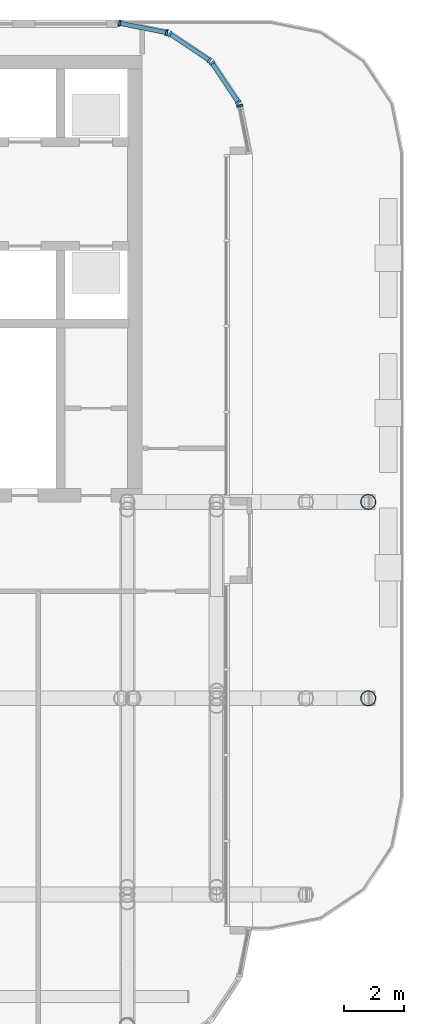
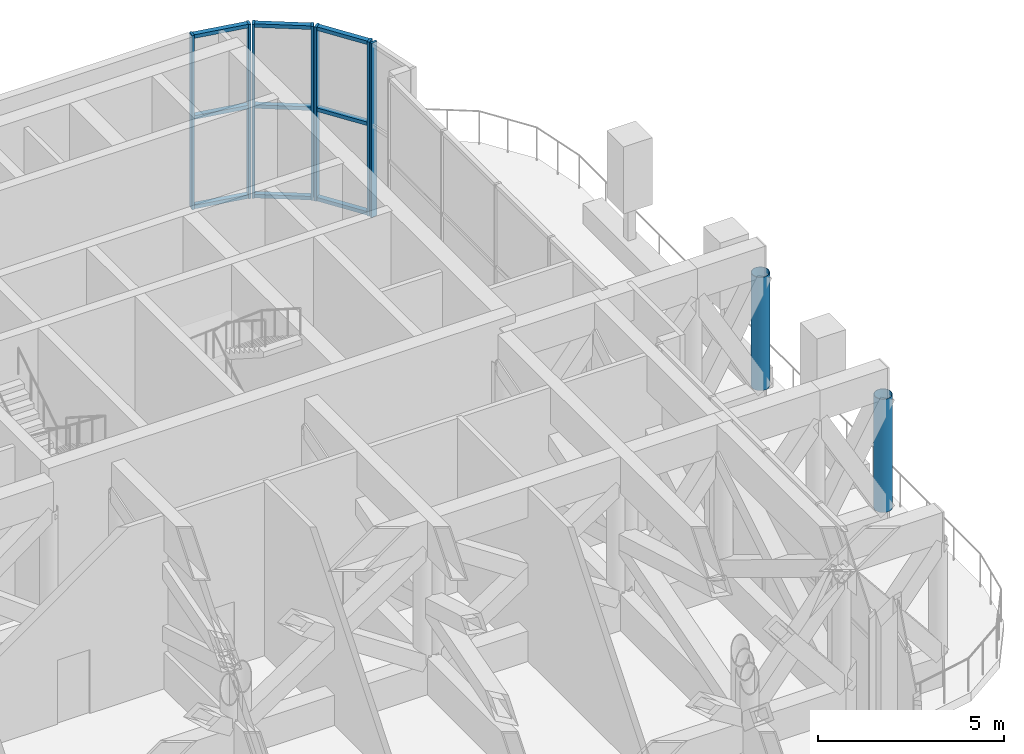
# One storey, part 10 of 25: 18 members, 4 elements without a shape of their own.
"""IFC4 building model written with IfcOpenShell, lengths in metres."""

from ifc_helpers import new_model, si_unit, direction, frame, origin, origin_2d, place, context, subcontext, project, spatial, rectangle, hollow_circle, extrude, material, layer, layer_set, material_profile, profile_set, type_object, element, aggregate, save


model = new_model("IFC4")

# Units and contexts
model_context = context("Model", 3, precision=1e-05, world=origin(), true_north=direction((0.0, 1.0)))
body_context = subcontext(model_context, "Body", "Model", "MODEL_VIEW")
ifc_project = project(units=[si_unit("LENGTHUNIT", "METRE"), si_unit("AREAUNIT", "SQUARE_METRE"), si_unit("VOLUMEUNIT", "CUBIC_METRE"), si_unit("PLANEANGLEUNIT", "RADIAN"), si_unit("MASSUNIT", "GRAM", prefix="KILO")], contexts=[model_context])

# Site, building, storey
site_placement = place(None, origin())
site = spatial("IfcSite", under=ifc_project, at=site_placement, CompositionType="ELEMENT")
building_placement = place(site_placement, origin())
building = spatial("IfcBuilding", under=site, at=building_placement, Name="Torana Hotel and Residences", CompositionType="ELEMENT")
storey_placement = place(building_placement, frame((0.0, 0.0, 106.800048828125)))
storey = spatial("IfcBuildingStorey", under=building, at=storey_placement, Name="L27", CompositionType="ELEMENT", Elevation=106.800048828125)

# Curtain wall, member
ifc_material_1 = material(Name="Dark anodised aluminium", Category="aluminium")
ifc_layer = layer(ifc_material_1, 0.199951171875)
ifc_layer_set = layer_set([ifc_layer], Name="CW2 SKY LOBBY UNITISED CURTAIN WALL")
curtain_wall_type = type_object("IfcCurtainWallType", Name="CW2 SKY LOBBY UNITISED CURTAIN WALL", PredefinedType="NOTDEFINED", material=ifc_layer_set)
curtain_wall_1_placement = place(storey_placement, origin())
curtain_wall_1 = element("IfcCurtainWall", 1, at=curtain_wall_1_placement, inside=storey, type_object=curtain_wall_type, Name="Curtain wall CW2 L27 e0.0-1", PredefinedType="NOTDEFINED")
ifc_material_2 = material(Name="Dark anodised aluminium", Category="aluminium")
ifc_material_profile_1 = material_profile(ifc_material_2, rectangle(XDim=0.199951171875, YDim=0.070068359375, at=origin_2d()), Name="CW2 MULLION 70x200")
ifc_profile_set_1 = profile_set([ifc_material_profile_1], Name="Dark anodised aluminium")
member_type_1 = type_object("IfcMemberType", Name="CW2 MULLION 70x200", PredefinedType="MULLION", material=ifc_profile_set_1)
member_1_placement = place(storey_placement, frame((27.77587890625, -1.680419921875, 0.0), z_axis=(0.0, 0.0, 1.0), x_axis=(-0.980790545928, -0.195063848566, 0.0)))
member_1 = element("IfcMember", 2, at=member_1_placement, type_object=member_type_1, Name="CW2 mullion 2", PredefinedType="MULLION", context=body_context, shape_type="SweptSolid", body=[
    extrude(rectangle(XDim=0.199951171875, YDim=0.070068359375, at=origin_2d()), origin(), (0.0, 0.0, 1.0), 5.719970703125),
])
aggregate(curtain_wall_1, [member_1])

# Curtain wall, members
curtain_wall_2_placement = place(storey_placement, origin())
curtain_wall_2 = element("IfcCurtainWall", 3, at=curtain_wall_2_placement, inside=storey, type_object=curtain_wall_type, Name="Curtain wall CW2 L27 e0.1-1", PredefinedType="NOTDEFINED")
member_2_placement = place(storey_placement, frame((27.727294921875, -1.56298828125, 0.0), z_axis=(0.0, 0.0, 1.0), x_axis=(-0.831473968618, -0.555563713278, 0.0)))
member_2 = element("IfcMember", 4, at=member_2_placement, type_object=member_type_1, Name="CW2 mullion 1", PredefinedType="MULLION", context=body_context, shape_type="SweptSolid", body=[
    extrude(rectangle(XDim=0.199951171875, YDim=0.070068359375, at=origin_2d()), origin(), (0.0, 0.0, 1.0), 5.719970703125),
])
member_3_placement = place(storey_placement, frame((26.845947265625, -0.243896484375, 0.0), z_axis=(0.0, 0.0, 1.0), x_axis=(-0.831473968618, -0.555563713278, 0.0)))
member_3 = element("IfcMember", 5, at=member_3_placement, type_object=member_type_1, Name="CW2 mullion 2", PredefinedType="MULLION", context=body_context, shape_type="SweptSolid", body=[
    extrude(rectangle(XDim=0.199951171875, YDim=0.070068359375, at=origin_2d()), origin(), (0.0, 0.0, 1.0), 5.719970703125),
])

curtain_wall_3_placement = place(storey_placement, origin())
curtain_wall_3 = element("IfcCurtainWall", 6, at=curtain_wall_3_placement, inside=storey, type_object=curtain_wall_type, Name="Curtain wall CW2 L27 e0.2-1", PredefinedType="NOTDEFINED")
member_4_placement = place(storey_placement, frame((26.756103515625, -0.154052734375, 0.0), z_axis=(0.0, 0.0, 1.0), x_axis=(-0.555563713278, -0.831473968618, 0.0)))
member_4 = element("IfcMember", 7, at=member_4_placement, type_object=member_type_1, Name="CW2 mullion 1", PredefinedType="MULLION", context=body_context, shape_type="SweptSolid", body=[
    extrude(rectangle(XDim=0.199951171875, YDim=0.070068359375, at=origin_2d()), origin(), (0.0, 0.0, 1.0), 5.719970703125),
])
member_5_placement = place(storey_placement, frame((25.43701171875, 0.727294921875, 0.0), z_axis=(0.0, 0.0, 1.0), x_axis=(-0.555563713278, -0.831473968618, 0.0)))
member_5 = element("IfcMember", 8, at=member_5_placement, type_object=member_type_1, Name="CW2 mullion 2", PredefinedType="MULLION", context=body_context, shape_type="SweptSolid", body=[
    extrude(rectangle(XDim=0.199951171875, YDim=0.070068359375, at=origin_2d()), origin(), (0.0, 0.0, 1.0), 5.719970703125),
])

curtain_wall_4_placement = place(storey_placement, origin())
curtain_wall_4 = element("IfcCurtainWall", 9, at=curtain_wall_4_placement, inside=storey, type_object=curtain_wall_type, Name="Curtain wall CW2 L27 e0.3-1", PredefinedType="NOTDEFINED")
member_6_placement = place(storey_placement, frame((25.319580078125, 0.77587890625, 0.0), z_axis=(0.0, 0.0, 1.0), x_axis=(-0.195063848566, -0.980790545928, 0.0)))
member_6 = element("IfcMember", 10, at=member_6_placement, type_object=member_type_1, Name="CW2 mullion 1", PredefinedType="MULLION", context=body_context, shape_type="SweptSolid", body=[
    extrude(rectangle(XDim=0.199951171875, YDim=0.070068359375, at=origin_2d()), origin(), (0.0, 0.0, 1.0), 5.719970703125),
])
member_7_placement = place(storey_placement, frame((23.739013671875, 1.09033203125, 0.0), z_axis=(0.0, 0.0, 1.0), x_axis=(-0.195063848566, -0.980790545928, 0.0)))
member_7 = element("IfcMember", 11, at=member_7_placement, type_object=member_type_1, Name="CW2 mullion 2", PredefinedType="MULLION", context=body_context, shape_type="SweptSolid", body=[
    extrude(rectangle(XDim=0.199951171875, YDim=0.070068359375, at=origin_2d()), origin(), (0.0, 0.0, 1.0), 5.719970703125),
])

# Member
ifc_material_3 = material(Name="Dark anodised aluminium", Category="aluminium")
ifc_material_profile_2 = material_profile(ifc_material_3, rectangle(XDim=0.14990234375, YDim=0.1201171875, at=origin_2d()), Name="CW2 TRANSOM 150x120")
ifc_profile_set_2 = profile_set([ifc_material_profile_2], Name="Dark anodised aluminium")
member_type_2 = type_object("IfcMemberType", Name="CW2 TRANSOM 150x120", PredefinedType="USERDEFINED", material=ifc_profile_set_2)
member_8_placement = place(storey_placement, frame((27.707763671875, -1.533935546875, 0.06005859375), z_axis=(-0.555517412319, 0.83150490354, 0.0), x_axis=(-0.83150490354, -0.555517412319, 0.0)))
member_8 = element("IfcMember", 12, at=member_8_placement, type_object=member_type_2, Name="CW2 transom 1.1", ObjectType="TRANSOM", PredefinedType="USERDEFINED", context=body_context, shape_type="SweptSolid", body=[
    extrude(rectangle(XDim=0.14990234375, YDim=0.1201171875, at=origin_2d()), origin(), (0.0, 0.0, 1.0), 1.51611328125),
])

member_9_placement = place(storey_placement, frame((27.707763671875, -1.533935546875, 3.0), z_axis=(-0.555517412319, 0.83150490354, 0.0), x_axis=(-0.83150490354, -0.555517412319, 0.0)))
member_9 = element("IfcMember", 13, at=member_9_placement, type_object=member_type_2, Name="CW2 transom 1.2", ObjectType="TRANSOM", PredefinedType="USERDEFINED", context=body_context, shape_type="SweptSolid", body=[
    extrude(rectangle(XDim=0.14990234375, YDim=0.1201171875, at=origin_2d()), origin(), (0.0, 0.0, 1.0), 1.51611328125),
])

member_10_placement = place(storey_placement, frame((27.707763671875, -1.533935546875, 5.659912109375), z_axis=(-0.555517412319, 0.83150490354, 0.0), x_axis=(-0.83150490354, -0.555517412319, 0.0)))
member_10 = element("IfcMember", 14, at=member_10_placement, type_object=member_type_2, Name="CW2 transom 1.3", ObjectType="TRANSOM", PredefinedType="USERDEFINED", context=body_context, shape_type="SweptSolid", body=[
    extrude(rectangle(XDim=0.14990234375, YDim=0.1201171875, at=origin_2d()), origin(), (0.0, 0.0, 1.0), 1.51611328125),
])

aggregate(curtain_wall_2, [member_2, member_3, member_8, member_9, member_10])

member_11_placement = place(storey_placement, frame((26.726806640625, -0.134521484375, 0.06005859375), z_axis=(-0.83150490354, 0.555517412319, 0.0), x_axis=(-0.555517412319, -0.83150490354, 0.0)))
member_11 = element("IfcMember", 15, at=member_11_placement, type_object=member_type_2, Name="CW2 transom 1.1", ObjectType="TRANSOM", PredefinedType="USERDEFINED", context=body_context, shape_type="SweptSolid", body=[
    extrude(rectangle(XDim=0.14990234375, YDim=0.1201171875, at=origin_2d()), origin(), (0.0, 0.0, 1.0), 1.51611328125),
])

member_12_placement = place(storey_placement, frame((26.726806640625, -0.134521484375, 3.0), z_axis=(-0.83150490354, 0.555517412319, 0.0), x_axis=(-0.555517412319, -0.83150490354, 0.0)))
member_12 = element("IfcMember", 16, at=member_12_placement, type_object=member_type_2, Name="CW2 transom 1.2", ObjectType="TRANSOM", PredefinedType="USERDEFINED", context=body_context, shape_type="SweptSolid", body=[
    extrude(rectangle(XDim=0.14990234375, YDim=0.1201171875, at=origin_2d()), origin(), (0.0, 0.0, 1.0), 1.51611328125),
])

member_13_placement = place(storey_placement, frame((26.726806640625, -0.134521484375, 5.659912109375), z_axis=(-0.83150490354, 0.555517412319, 0.0), x_axis=(-0.555517412319, -0.83150490354, 0.0)))
member_13 = element("IfcMember", 17, at=member_13_placement, type_object=member_type_2, Name="CW2 transom 1.3", ObjectType="TRANSOM", PredefinedType="USERDEFINED", context=body_context, shape_type="SweptSolid", body=[
    extrude(rectangle(XDim=0.14990234375, YDim=0.1201171875, at=origin_2d()), origin(), (0.0, 0.0, 1.0), 1.51611328125),
])

aggregate(curtain_wall_3, [member_4, member_5, member_11, member_12, member_13])

member_14_placement = place(storey_placement, frame((25.28515625, 0.78271484375, 0.06005859375), z_axis=(-0.980781167848, 0.19511099609, 0.0), x_axis=(-0.19511099609, -0.980781167848, 0.0)))
member_14 = element("IfcMember", 18, at=member_14_placement, type_object=member_type_2, Name="CW2 transom 1.1", ObjectType="TRANSOM", PredefinedType="USERDEFINED", context=body_context, shape_type="SweptSolid", body=[
    extrude(rectangle(XDim=0.14990234375, YDim=0.1201171875, at=origin_2d()), origin(), (0.0, 0.0, 1.0), 1.54150390625),
])

member_15_placement = place(storey_placement, frame((25.28515625, 0.78271484375, 3.0), z_axis=(-0.980781167848, 0.19511099609, 0.0), x_axis=(-0.19511099609, -0.980781167848, 0.0)))
member_15 = element("IfcMember", 19, at=member_15_placement, type_object=member_type_2, Name="CW2 transom 1.2", ObjectType="TRANSOM", PredefinedType="USERDEFINED", context=body_context, shape_type="SweptSolid", body=[
    extrude(rectangle(XDim=0.14990234375, YDim=0.1201171875, at=origin_2d()), origin(), (0.0, 0.0, 1.0), 1.54150390625),
])

member_16_placement = place(storey_placement, frame((25.28515625, 0.78271484375, 5.659912109375), z_axis=(-0.980781167848, 0.19511099609, 0.0), x_axis=(-0.19511099609, -0.980781167848, 0.0)))
member_16 = element("IfcMember", 20, at=member_16_placement, type_object=member_type_2, Name="CW2 transom 1.3", ObjectType="TRANSOM", PredefinedType="USERDEFINED", context=body_context, shape_type="SweptSolid", body=[
    extrude(rectangle(XDim=0.14990234375, YDim=0.1201171875, at=origin_2d()), origin(), (0.0, 0.0, 1.0), 1.54150390625),
])

aggregate(curtain_wall_4, [member_6, member_7, member_14, member_15, member_16])

# Members
ifc_material_4 = material(Name="Steel S355", Category="steel")
ifc_material_profile_3 = material_profile(ifc_material_4, hollow_circle(Radius=0.25390625, WallThickness=0.01611328125, at=origin_2d()), Name="508x16 CHS")
ifc_profile_set_3 = profile_set([ifc_material_profile_3], Name="Steel S355")
member_type_3 = type_object("IfcMemberType", Name="STEEL POST 508x16 CHS", PredefinedType="POST", material=ifc_profile_set_3)
for number, where, z_axis, x_axis, name in (
    (21, (32.10009765625, -21.60009765625, 1.0), (0.0, 0.0, 1.0), (1.0, 0.0, 0.0), "Truss post L27"),
    (22, (32.10009765625, -15.0, 1.0), (0.0, 0.0, 1.0), (1.0, 0.0, 0.0), "Truss post L27"),
):
    element("IfcMember", number, at=place(storey_placement, frame(where, z_axis=z_axis, x_axis=x_axis)), inside=storey, type_object=member_type_3, Name=name, PredefinedType="POST", context=body_context, shape_type="SweptSolid", body=[
        extrude(hollow_circle(Radius=0.25390625, WallThickness=0.01611328125, at=origin_2d()), origin(), (0.0, 0.0, 1.0), 3.719970703125),
    ])

save(model, "model.ifc")
